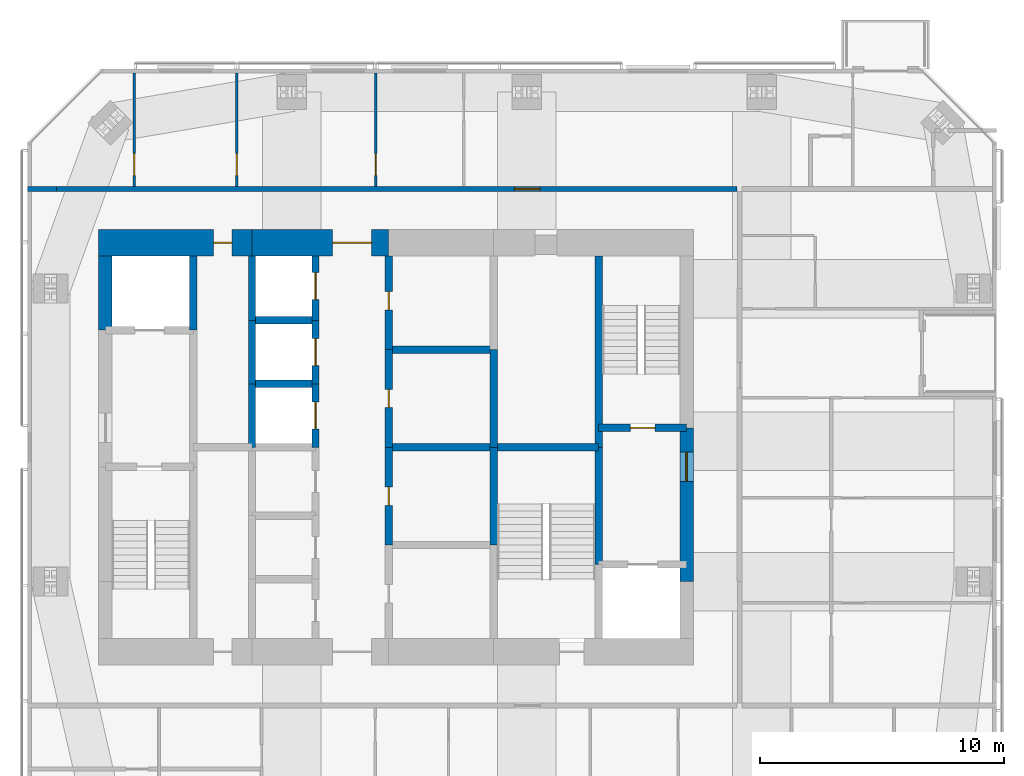
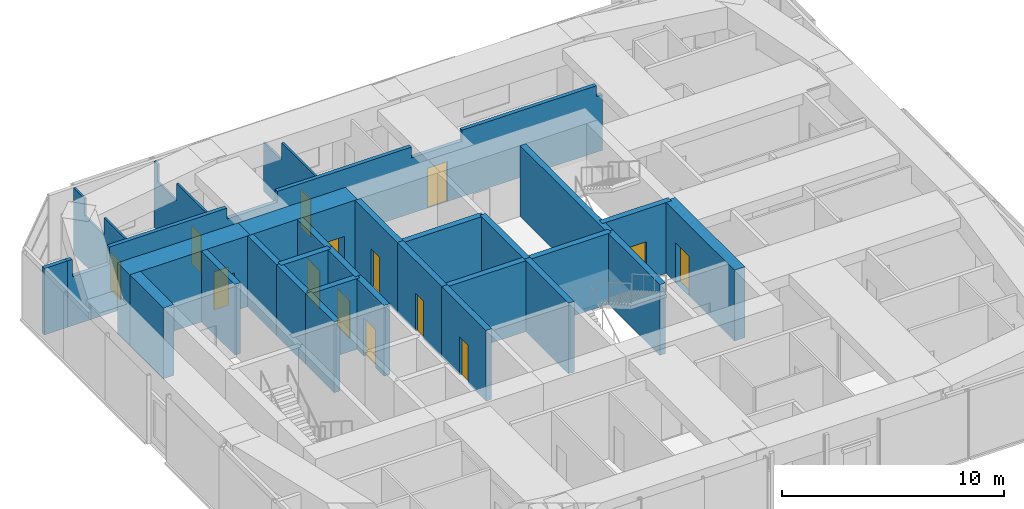
# One storey, part 16 of 20: 29 walls, 14 doors, 14 openings.
"""IFC4 building model written with IfcOpenShell, lengths in metres."""

from ifc_helpers import new_model, si_unit, direction, frame, frame_2d, origin, place, context, subcontext, project, spatial, polyline, rectangle, outline, extrude, material, layer, layer_set, constituent, constituent_set, type_object, element, fill, save


model = new_model("IFC4")

# Units and contexts
model_context = context("Model", 3, precision=1e-05, world=origin(), true_north=direction((0.0, 1.0)))
body_context = subcontext(model_context, "Body", "Model", "MODEL_VIEW")
ifc_project = project(units=[si_unit("LENGTHUNIT", "METRE"), si_unit("AREAUNIT", "SQUARE_METRE"), si_unit("VOLUMEUNIT", "CUBIC_METRE"), si_unit("PLANEANGLEUNIT", "RADIAN"), si_unit("MASSUNIT", "GRAM", prefix="KILO")], contexts=[model_context])

# Site, building, storey
site_placement = place(None, origin())
site = spatial("IfcSite", under=ifc_project, at=site_placement, CompositionType="ELEMENT")
building_placement = place(site_placement, origin())
building = spatial("IfcBuilding", under=site, at=building_placement, Name="Jalousie Tower", CompositionType="ELEMENT")
storey_placement = place(building_placement, frame((0.0, 0.0, 259.949951171875)))
storey = spatial("IfcBuildingStorey", under=building, at=storey_placement, Name="L71", CompositionType="ELEMENT", Elevation=259.949951171875)

# Wall, opening, door
ifc_material_1 = material(Name="Concrete f'c 120 MPa", Category="concrete")
ifc_layer_1 = layer(ifc_material_1, 1.10009765625)
ifc_layer_set_1 = layer_set([ifc_layer_1], Name="Concrete f'c 120 MPa")
wall_type_1 = type_object("IfcWallType", Name="CORE WALL 1100", PredefinedType="SHEAR", material=ifc_layer_set_1)
wall_1_placement = place(storey_placement, frame((31.60009765625, 26.875, 0.0), z_axis=(0.0, 0.0, 1.0), x_axis=(-1.0, 0.0, 0.0)))
wall_1 = element("IfcWall", 1, at=wall_1_placement, inside=storey, type_object=wall_type_1, Name="Core wall NC L71", PredefinedType="SHEAR", context=body_context, shape_type="SweptSolid", body=[
    extrude(rectangle(XDim=5.60009765625, YDim=1.10009765625, at=frame_2d((2.800048828125, 0.0))), origin(), (0.0, 0.0, 1.0), 3.900146484375),
])
opening_1_placement = place(wall_1_placement, frame((0.699951171875, 0.0, 0.0)))
opening_1 = element("IfcOpeningElement", 2, at=opening_1_placement, cuts=wall_1, Name="Opening D15", PredefinedType="OPENING", context=body_context, shape_type="SweptSolid", body=[
    extrude(rectangle(XDim=1.60009765625, YDim=2.10009765625, at=frame_2d((0.800048828125, 1.050048828125))), frame((0.0, 0.56005859375, 0.0), z_axis=(0.0, -1.0, 0.0), x_axis=(1.0, 0.0, 0.0)), (0.0, 0.0, 1.0), 1.1201171875),
])
ifc_material_2 = material(Name="Steel fire door", Category="steel")
door_type_1 = type_object("IfcDoorType", Name="LIFT LOBBY DOOR 1600", OperationType="DOUBLE_DOOR_SINGLE_SWING", PredefinedType="DOOR", material=ifc_material_2)
door_1_placement = place(opening_1_placement, origin())
door_1 = element("IfcDoor", 3, at=door_1_placement, inside=storey, type_object=door_type_1, Name="Lift lobby north door", OperationType="DOUBLE_DOOR_SINGLE_SWING", OverallHeight=2.10009765625, OverallWidth=1.60009765625, PredefinedType="DOOR", context=body_context, shape_type="SweptSolid", body=[
    extrude(rectangle(XDim=1.60009765625, YDim=2.10009765625, at=frame_2d((0.800048828125, 1.050048828125))), frame((0.0, 0.02490234375, 0.0), z_axis=(0.0, -1.0, 0.0), x_axis=(1.0, 0.0, 0.0)), (0.0, 0.0, 1.0), 0.050048828125),
])
fill(opening_1, door_1)

wall_2_placement = place(storey_placement, frame((26.0, 26.875, 0.0), z_axis=(0.0, 0.0, 1.0), x_axis=(-1.0, 0.0, 0.0)))
wall_2 = element("IfcWall", 4, at=wall_2_placement, inside=storey, type_object=wall_type_1, Name="Core wall ND L71", PredefinedType="SHEAR", context=body_context, shape_type="SweptSolid", body=[
    extrude(rectangle(XDim=6.27490234375, YDim=1.10009765625, at=frame_2d((3.137451171875, 0.0))), origin(), (0.0, 0.0, 1.0), 3.900146484375),
])
opening_2_placement = place(wall_2_placement, frame((0.824951171875, 0.0, 0.0)))
opening_2 = element("IfcOpeningElement", 5, at=opening_2_placement, cuts=wall_2, Name="Opening D16", PredefinedType="OPENING", context=body_context, shape_type="SweptSolid", body=[
    extrude(rectangle(XDim=0.75, YDim=2.10009765625, at=frame_2d((0.375, 1.050048828125))), frame((0.0, 0.56005859375, 0.0), z_axis=(0.0, -1.0, 0.0), x_axis=(1.0, 0.0, 0.0)), (0.0, 0.0, 1.0), 1.1201171875),
])
ifc_material_3 = material(Name="Steel fire door", Category="steel")
door_type_2 = type_object("IfcDoorType", Name="RISER DOOR 750", OperationType="SINGLE_SWING_LEFT", PredefinedType="DOOR", material=ifc_material_3)
door_2_placement = place(opening_2_placement, origin())
door_2 = element("IfcDoor", 6, at=door_2_placement, inside=storey, type_object=door_type_2, Name="North riser door", OperationType="SINGLE_SWING_RIGHT", OverallHeight=2.10009765625, OverallWidth=0.75, PredefinedType="DOOR", context=body_context, shape_type="SweptSolid", body=[
    extrude(rectangle(XDim=0.75, YDim=2.10009765625, at=frame_2d((0.375, 1.050048828125))), frame((0.0, 0.02490234375, 0.0), z_axis=(0.0, -1.0, 0.0), x_axis=(1.0, 0.0, 0.0)), (0.0, 0.0, 1.0), 0.050048828125),
])
fill(opening_2, door_2)

# Walls
ifc_material_4 = material(Name="Concrete f'c 120 MPa", Category="concrete")
ifc_layer_2 = layer(ifc_material_4, 0.300048828125)
ifc_layer_set_2 = layer_set([ifc_layer_2], Name="Concrete f'c 120 MPa")
wall_type_2 = type_object("IfcWallType", Name="CORE WALL 300", PredefinedType="SHEAR", material=ifc_layer_set_2)
wall_3_placement = place(storey_placement, frame((23.60009765625, 23.300048828125, 0.0), z_axis=(0.0, 0.0, 1.0), x_axis=(0.0, 1.0, 0.0)))
element("IfcWall", 7, at=wall_3_placement, inside=storey, type_object=wall_type_2, Name="Core wall X23.6C L71", PredefinedType="SHEAR", context=body_context, shape_type="SweptSolid", body=[
    extrude(rectangle(XDim=3.02490234375, YDim=0.300048828125, at=frame_2d((1.512451171875, 0.0))), origin(), (0.0, 0.0, 1.0), 3.900146484375),
])
wall_4_placement = place(storey_placement, frame((26.0, 18.5, 0.0), z_axis=(0.0, 0.0, 1.0), x_axis=(0.0, 1.0, 0.0)))
element("IfcWall", 8, at=wall_4_placement, inside=storey, type_object=wall_type_2, Name="Core wall X26D L71", PredefinedType="SHEAR", context=body_context, shape_type="SweptSolid", body=[
    extrude(rectangle(XDim=2.60009765625, YDim=0.300048828125, at=frame_2d((1.300048828125, 0.0))), origin(), (0.0, 0.0, 1.0), 3.900146484375),
])
wall_5_placement = place(storey_placement, frame((26.0, 21.10009765625, 0.0), z_axis=(0.0, 0.0, 1.0), x_axis=(0.0, 1.0, 0.0)))
element("IfcWall", 9, at=wall_5_placement, inside=storey, type_object=wall_type_2, Name="Core wall X26E L71", PredefinedType="SHEAR", context=body_context, shape_type="SweptSolid", body=[
    extrude(rectangle(XDim=2.599853515625, YDim=0.300048828125, at=frame_2d((1.2998046875, 0.0))), origin(), (0.0, 0.0, 1.0), 3.900146484375),
])
wall_6_placement = place(storey_placement, frame((26.0, 23.699951171875, 0.0), z_axis=(0.0, 0.0, 1.0), x_axis=(0.0, 1.0, 0.0)))
element("IfcWall", 10, at=wall_6_placement, inside=storey, type_object=wall_type_2, Name="Core wall X26F L71", PredefinedType="SHEAR", context=body_context, shape_type="SweptSolid", body=[
    extrude(rectangle(XDim=2.625, YDim=0.300048828125, at=frame_2d((1.3125, 0.0))), origin(), (0.0, 0.0, 1.0), 3.900146484375),
])

# Wall, opening, door
wall_7_placement = place(storey_placement, frame((28.60009765625, 18.5, 0.0), z_axis=(0.0, 0.0, 1.0), x_axis=(0.0, 1.0, 0.0)))
wall_7 = element("IfcWall", 11, at=wall_7_placement, inside=storey, type_object=wall_type_2, Name="Core wall X28.6D L71", PredefinedType="SHEAR", context=body_context, shape_type="SweptSolid", body=[
    extrude(rectangle(XDim=2.60009765625, YDim=0.300048828125, at=frame_2d((1.300048828125, 0.0))), origin(), (0.0, 0.0, 1.0), 3.900146484375),
])
opening_3_placement = place(wall_7_placement, frame((0.75, 0.0, 0.0)))
opening_3 = element("IfcOpeningElement", 12, at=opening_3_placement, cuts=wall_7, Name="Opening LD1", PredefinedType="OPENING", context=body_context, shape_type="SweptSolid", body=[
    extrude(rectangle(XDim=1.10009765625, YDim=2.10009765625, at=frame_2d((0.550048828125, 1.050048828125))), frame((0.0, 0.159912109375, 0.0), z_axis=(0.0, -1.0, 0.0), x_axis=(1.0, 0.0, 0.0)), (0.0, 0.0, 1.0), 0.320068359375),
])
ifc_material_5 = material(Name="Steel lift landing door", Category="steel")
door_type_3 = type_object("IfcDoorType", Name="LIFT LANDING DOOR 1100", OperationType="SLIDING_TO_LEFT", PredefinedType="DOOR", material=ifc_material_5)
door_3_placement = place(opening_3_placement, origin())
door_3 = element("IfcDoor", 13, at=door_3_placement, inside=storey, type_object=door_type_3, Name="Lift P4 landing door", OperationType="SLIDING_TO_LEFT", OverallHeight=2.10009765625, OverallWidth=1.10009765625, PredefinedType="DOOR", context=body_context, shape_type="SweptSolid", body=[
    extrude(rectangle(XDim=1.10009765625, YDim=2.10009765625, at=frame_2d((0.550048828125, 1.050048828125))), frame((0.0, 0.02490234375, 0.0), z_axis=(0.0, -1.0, 0.0), x_axis=(1.0, 0.0, 0.0)), (0.0, 0.0, 1.0), 0.050048828125),
])
fill(opening_3, door_3)

wall_8_placement = place(storey_placement, frame((28.60009765625, 21.10009765625, 0.0), z_axis=(0.0, 0.0, 1.0), x_axis=(0.0, 1.0, 0.0)))
wall_8 = element("IfcWall", 14, at=wall_8_placement, inside=storey, type_object=wall_type_2, Name="Core wall X28.6E L71", PredefinedType="SHEAR", context=body_context, shape_type="SweptSolid", body=[
    extrude(rectangle(XDim=2.599853515625, YDim=0.300048828125, at=frame_2d((1.2998046875, 0.0))), origin(), (0.0, 0.0, 1.0), 3.900146484375),
])
opening_4_placement = place(wall_8_placement, frame((0.75, 0.0, 0.0)))
opening_4 = element("IfcOpeningElement", 15, at=opening_4_placement, cuts=wall_8, Name="Opening LD1", PredefinedType="OPENING", context=body_context, shape_type="SweptSolid", body=[
    extrude(rectangle(XDim=1.10009765625, YDim=2.10009765625, at=frame_2d((0.550048828125, 1.050048828125))), frame((0.0, 0.159912109375, 0.0), z_axis=(0.0, -1.0, 0.0), x_axis=(1.0, 0.0, 0.0)), (0.0, 0.0, 1.0), 0.320068359375),
])
door_4_placement = place(opening_4_placement, origin())
door_4 = element("IfcDoor", 16, at=door_4_placement, inside=storey, type_object=door_type_3, Name="Lift P5 landing door", OperationType="SLIDING_TO_LEFT", OverallHeight=2.10009765625, OverallWidth=1.10009765625, PredefinedType="DOOR", context=body_context, shape_type="SweptSolid", body=[
    extrude(rectangle(XDim=1.10009765625, YDim=2.10009765625, at=frame_2d((0.550048828125, 1.050048828125))), frame((0.0, 0.02490234375, 0.0), z_axis=(0.0, -1.0, 0.0), x_axis=(1.0, 0.0, 0.0)), (0.0, 0.0, 1.0), 0.050048828125),
])
fill(opening_4, door_4)

wall_9_placement = place(storey_placement, frame((28.60009765625, 23.699951171875, 0.0), z_axis=(0.0, 0.0, 1.0), x_axis=(0.0, 1.0, 0.0)))
wall_9 = element("IfcWall", 17, at=wall_9_placement, inside=storey, type_object=wall_type_2, Name="Core wall X28.6F L71", PredefinedType="SHEAR", context=body_context, shape_type="SweptSolid", body=[
    extrude(rectangle(XDim=2.625, YDim=0.300048828125, at=frame_2d((1.3125, 0.0))), origin(), (0.0, 0.0, 1.0), 3.900146484375),
])
opening_5_placement = place(wall_9_placement, frame((0.85009765625, 0.0, 0.0)))
opening_5 = element("IfcOpeningElement", 18, at=opening_5_placement, cuts=wall_9, Name="Opening LD1", PredefinedType="OPENING", context=body_context, shape_type="SweptSolid", body=[
    extrude(rectangle(XDim=1.10009765625, YDim=2.10009765625, at=frame_2d((0.550048828125, 1.050048828125))), frame((0.0, 0.159912109375, 0.0), z_axis=(0.0, -1.0, 0.0), x_axis=(1.0, 0.0, 0.0)), (0.0, 0.0, 1.0), 0.320068359375),
])
door_5_placement = place(opening_5_placement, origin())
door_5 = element("IfcDoor", 19, at=door_5_placement, inside=storey, type_object=door_type_3, Name="Lift P6 landing door", OperationType="SLIDING_TO_LEFT", OverallHeight=2.10009765625, OverallWidth=1.10009765625, PredefinedType="DOOR", context=body_context, shape_type="SweptSolid", body=[
    extrude(rectangle(XDim=1.10009765625, YDim=2.10009765625, at=frame_2d((0.550048828125, 1.050048828125))), frame((0.0, 0.02490234375, 0.0), z_axis=(0.0, -1.0, 0.0), x_axis=(1.0, 0.0, 0.0)), (0.0, 0.0, 1.0), 0.050048828125),
])
fill(opening_5, door_5)

wall_10_placement = place(storey_placement, frame((31.60009765625, 14.5, 0.0), z_axis=(0.0, 0.0, 1.0), x_axis=(0.0, 1.0, 0.0)))
wall_10 = element("IfcWall", 20, at=wall_10_placement, inside=storey, type_object=wall_type_2, Name="Core wall X31.6B L71", PredefinedType="SHEAR", context=body_context, shape_type="SweptSolid", body=[
    extrude(rectangle(XDim=4.0, YDim=0.300048828125, at=frame_2d((2.0, 0.0))), origin(), (0.0, 0.0, 1.0), 3.900146484375),
])
opening_6_placement = place(wall_10_placement, frame((1.625, 0.0, 0.0)))
opening_6 = element("IfcOpeningElement", 21, at=opening_6_placement, cuts=wall_10, Name="Opening D16", PredefinedType="OPENING", context=body_context, shape_type="SweptSolid", body=[
    extrude(rectangle(XDim=0.75, YDim=2.10009765625, at=frame_2d((0.375, 1.050048828125))), frame((0.0, 0.159912109375, 0.0), z_axis=(0.0, -1.0, 0.0), x_axis=(1.0, 0.0, 0.0)), (0.0, 0.0, 1.0), 0.320068359375),
])
door_6_placement = place(opening_6_placement, frame((0.75, 0.0, 0.0), z_axis=(0.0, 0.0, 1.0), x_axis=(-1.0, 0.0, 0.0)))
door_6 = element("IfcDoor", 22, at=door_6_placement, inside=storey, type_object=door_type_2, Name="Electrical Room door", OperationType="SINGLE_SWING_RIGHT", OverallHeight=2.10009765625, OverallWidth=0.75, PredefinedType="DOOR", context=body_context, shape_type="SweptSolid", body=[
    extrude(rectangle(XDim=0.75, YDim=2.10009765625, at=frame_2d((0.375, 1.050048828125))), frame((0.0, 0.02490234375, 0.0), z_axis=(0.0, -1.0, 0.0), x_axis=(1.0, 0.0, 0.0)), (0.0, 0.0, 1.0), 0.050048828125),
])
fill(opening_6, door_6)

wall_11_placement = place(storey_placement, frame((31.60009765625, 18.5, 0.0), z_axis=(0.0, 0.0, 1.0), x_axis=(0.0, 1.0, 0.0)))
wall_11 = element("IfcWall", 23, at=wall_11_placement, inside=storey, type_object=wall_type_2, Name="Core wall X31.6C L71", PredefinedType="SHEAR", context=body_context, shape_type="SweptSolid", body=[
    extrude(rectangle(XDim=4.0, YDim=0.300048828125, at=frame_2d((2.0, 0.0))), origin(), (0.0, 0.0, 1.0), 3.900146484375),
])
opening_7_placement = place(wall_11_placement, frame((1.625, 0.0, 0.0)))
opening_7 = element("IfcOpeningElement", 24, at=opening_7_placement, cuts=wall_11, Name="Opening D16", PredefinedType="OPENING", context=body_context, shape_type="SweptSolid", body=[
    extrude(rectangle(XDim=0.75, YDim=2.10009765625, at=frame_2d((0.375, 1.050048828125))), frame((0.0, 0.159912109375, 0.0), z_axis=(0.0, -1.0, 0.0), x_axis=(1.0, 0.0, 0.0)), (0.0, 0.0, 1.0), 0.320068359375),
])
door_7_placement = place(opening_7_placement, frame((0.75, 0.0, 0.0), z_axis=(0.0, 0.0, 1.0), x_axis=(-1.0, 0.0, 0.0)))
door_7 = element("IfcDoor", 25, at=door_7_placement, inside=storey, type_object=door_type_2, Name="Telecom Room door", OperationType="SINGLE_SWING_RIGHT", OverallHeight=2.10009765625, OverallWidth=0.75, PredefinedType="DOOR", context=body_context, shape_type="SweptSolid", body=[
    extrude(rectangle(XDim=0.75, YDim=2.10009765625, at=frame_2d((0.375, 1.050048828125))), frame((0.0, 0.02490234375, 0.0), z_axis=(0.0, -1.0, 0.0), x_axis=(1.0, 0.0, 0.0)), (0.0, 0.0, 1.0), 0.050048828125),
])
fill(opening_7, door_7)

wall_12_placement = place(storey_placement, frame((31.60009765625, 22.5, 0.0), z_axis=(0.0, 0.0, 1.0), x_axis=(0.0, 1.0, 0.0)))
wall_12 = element("IfcWall", 26, at=wall_12_placement, inside=storey, type_object=wall_type_2, Name="Core wall X31.6D L71", PredefinedType="SHEAR", context=body_context, shape_type="SweptSolid", body=[
    extrude(rectangle(XDim=3.824951171875, YDim=0.300048828125, at=frame_2d((1.91259765625, 0.0))), origin(), (0.0, 0.0, 1.0), 3.900146484375),
])
opening_8_placement = place(wall_12_placement, frame((1.625, 0.0, 0.0)))
opening_8 = element("IfcOpeningElement", 27, at=opening_8_placement, cuts=wall_12, Name="Opening D16", PredefinedType="OPENING", context=body_context, shape_type="SweptSolid", body=[
    extrude(rectangle(XDim=0.75, YDim=2.10009765625, at=frame_2d((0.375, 1.050048828125))), frame((0.0, 0.159912109375, 0.0), z_axis=(0.0, -1.0, 0.0), x_axis=(1.0, 0.0, 0.0)), (0.0, 0.0, 1.0), 0.320068359375),
])
door_8_placement = place(opening_8_placement, frame((0.75, 0.0, 0.0), z_axis=(0.0, 0.0, 1.0), x_axis=(-1.0, 0.0, 0.0)))
door_8 = element("IfcDoor", 28, at=door_8_placement, inside=storey, type_object=door_type_2, Name="Water Services Room door", OperationType="SINGLE_SWING_LEFT", OverallHeight=2.10009765625, OverallWidth=0.75, PredefinedType="DOOR", context=body_context, shape_type="SweptSolid", body=[
    extrude(rectangle(XDim=0.75, YDim=2.10009765625, at=frame_2d((0.375, 1.050048828125))), frame((0.0, 0.02490234375, 0.0), z_axis=(0.0, -1.0, 0.0), x_axis=(1.0, 0.0, 0.0)), (0.0, 0.0, 1.0), 0.050048828125),
])
fill(opening_8, door_8)

# Walls
for number, where, z_axis, x_axis, name in (
    (29, (35.89990234375, 14.5, 0.0), (0.0, 0.0, 1.0), (0.0, 1.0, 0.0), "Core wall X35.9B L71"),
    (30, (35.89990234375, 18.5, 0.0), (0.0, 0.0, 1.0), (0.0, 1.0, 0.0), "Core wall X35.9C L71"),
):
    element("IfcWall", number, at=place(storey_placement, frame(where, z_axis=z_axis, x_axis=x_axis)), inside=storey, type_object=wall_type_2, Name=name, PredefinedType="SHEAR", context=body_context, shape_type="SweptSolid", body=[
        extrude(rectangle(XDim=4.0, YDim=0.300048828125, at=frame_2d((2.0, 0.0))), origin(), (0.0, 0.0, 1.0), 3.900146484375),
    ])
wall_13_placement = place(storey_placement, frame((40.199951171875, 13.699951171875, 0.0), z_axis=(0.0, 0.0, 1.0), x_axis=(0.0, 1.0, 0.0)))
element("IfcWall", 31, at=wall_13_placement, inside=storey, type_object=wall_type_2, Name="Core wall X40.2B L71", PredefinedType="SHEAR", context=body_context, shape_type="SweptSolid", body=[
    extrude(rectangle(XDim=4.800048828125, YDim=0.300048828125, at=frame_2d((2.39990234375, 0.0))), origin(), (0.0, 0.0, 1.0), 3.900146484375),
])
wall_14_placement = place(storey_placement, frame((40.199951171875, 18.5, 0.0), z_axis=(0.0, 0.0, 1.0), x_axis=(0.0, 1.0, 0.0)))
element("IfcWall", 32, at=wall_14_placement, inside=storey, type_object=wall_type_2, Name="Core wall X40.2C L71", PredefinedType="SHEAR", context=body_context, shape_type="SweptSolid", body=[
    extrude(rectangle(XDim=7.824951171875, YDim=0.300048828125, at=frame_2d((3.91259765625, 0.0))), origin(), (0.0, 0.0, 1.0), 3.900146484375),
])
for number, where, z_axis, x_axis, name in (
    (33, (26.0, 21.10009765625, 0.0), (0.0, 0.0, 1.0), (1.0, 0.0, 0.0), "Core wall Y26-21.1 L71"),
    (34, (26.0, 23.699951171875, 0.0), (0.0, 0.0, 1.0), (1.0, 0.0, 0.0), "Core wall Y26-23.7 L71"),
):
    element("IfcWall", number, at=place(storey_placement, frame(where, z_axis=z_axis, x_axis=x_axis)), inside=storey, type_object=wall_type_2, Name=name, PredefinedType="SHEAR", context=body_context, shape_type="SweptSolid", body=[
        extrude(rectangle(XDim=2.60009765625, YDim=0.300048828125, at=frame_2d((1.300048828125, 0.0))), origin(), (0.0, 0.0, 1.0), 3.900146484375),
    ])
for number, where, z_axis, x_axis, name in (
    (35, (31.60009765625, 18.5, 0.0), (0.0, 0.0, 1.0), (1.0, 0.0, 0.0), "Core wall Y31.6-18.5 L71"),
    (36, (31.60009765625, 22.5, 0.0), (0.0, 0.0, 1.0), (1.0, 0.0, 0.0), "Core wall Y31.6-22.5 L71"),
):
    element("IfcWall", number, at=place(storey_placement, frame(where, z_axis=z_axis, x_axis=x_axis)), inside=storey, type_object=wall_type_2, Name=name, PredefinedType="SHEAR", context=body_context, shape_type="SweptSolid", body=[
        extrude(rectangle(XDim=4.2998046875, YDim=0.300048828125, at=frame_2d((2.14990234375, 0.0))), origin(), (0.0, 0.0, 1.0), 3.900146484375),
    ])
wall_15_placement = place(storey_placement, frame((35.89990234375, 18.5, 0.0), z_axis=(0.0, 0.0, 1.0), x_axis=(1.0, 0.0, 0.0)))
element("IfcWall", 37, at=wall_15_placement, inside=storey, type_object=wall_type_2, Name="Core wall Y35.9-18.5 L71", PredefinedType="SHEAR", context=body_context, shape_type="SweptSolid", body=[
    extrude(rectangle(XDim=4.300048828125, YDim=0.300048828125, at=frame_2d((2.14990234375, 0.0))), origin(), (0.0, 0.0, 1.0), 3.900146484375),
])

# Wall, opening, door
wall_16_placement = place(storey_placement, frame((40.199951171875, 19.300048828125, 0.0), z_axis=(0.0, 0.0, 1.0), x_axis=(1.0, 0.0, 0.0)))
wall_16 = element("IfcWall", 38, at=wall_16_placement, inside=storey, type_object=wall_type_2, Name="Core wall Y40.2-19.3 L71", PredefinedType="SHEAR", context=body_context, shape_type="SweptSolid", body=[
    extrude(rectangle(XDim=3.60009765625, YDim=0.300048828125, at=frame_2d((1.800048828125, 0.0))), origin(), (0.0, 0.0, 1.0), 3.900146484375),
])
opening_9_placement = place(wall_16_placement, frame((1.300048828125, 0.0, 0.0)))
opening_9 = element("IfcOpeningElement", 39, at=opening_9_placement, cuts=wall_16, Name="Opening D10", PredefinedType="OPENING", context=body_context, shape_type="SweptSolid", body=[
    extrude(rectangle(XDim=1.0, YDim=2.10009765625, at=frame_2d((0.5, 1.050048828125))), frame((0.0, 0.159912109375, 0.0), z_axis=(0.0, -1.0, 0.0), x_axis=(1.0, 0.0, 0.0)), (0.0, 0.0, 1.0), 0.320068359375),
])
ifc_material_6 = material(Name="Steel fire door", Category="steel")
door_type_4 = type_object("IfcDoorType", Name="STAIR DOOR 1000", OperationType="SINGLE_SWING_LEFT", PredefinedType="DOOR", material=ifc_material_6)
door_9_placement = place(opening_9_placement, origin())
door_9 = element("IfcDoor", 40, at=door_9_placement, inside=storey, type_object=door_type_4, Name="Exit stair B door", OperationType="SINGLE_SWING_RIGHT", OverallHeight=2.10009765625, OverallWidth=1.0, PredefinedType="DOOR", context=body_context, shape_type="SweptSolid", body=[
    extrude(rectangle(XDim=1.0, YDim=2.10009765625, at=frame_2d((0.5, 1.050048828125))), frame((0.0, 0.02490234375, 0.0), z_axis=(0.0, -1.0, 0.0), x_axis=(1.0, 0.0, 0.0)), (0.0, 0.0, 1.0), 0.050048828125),
])
fill(opening_9, door_9)

# Wall
ifc_material_7 = material(Name="Concrete f'c 120 MPa", Category="concrete")
ifc_layer_3 = layer(ifc_material_7, 0.550048828125)
ifc_layer_set_3 = layer_set([ifc_layer_3], Name="Concrete f'c 120 MPa")
wall_type_3 = type_object("IfcWallType", Name="CORE WALL 550", PredefinedType="SHEAR", material=ifc_layer_set_3)
wall_17_placement = place(storey_placement, frame((20.0, 26.324951171875, 0.0), z_axis=(0.0, 0.0, 1.0), x_axis=(0.0, -1.0, 0.0)))
element("IfcWall", 41, at=wall_17_placement, inside=storey, type_object=wall_type_3, Name="Core wall WA L71", PredefinedType="SHEAR", context=body_context, shape_type="SweptSolid", body=[
    extrude(rectangle(XDim=3.02490234375, YDim=0.550048828125, at=frame_2d((1.512451171875, 0.0))), origin(), (0.0, 0.0, 1.0), 3.900146484375),
])

# Wall, opening, door
wall_18_placement = place(storey_placement, frame((43.800048828125, 13.0, 0.0), z_axis=(0.0, 0.0, 1.0), x_axis=(0.0, 1.0, 0.0)))
wall_18 = element("IfcWall", 42, at=wall_18_placement, inside=storey, type_object=wall_type_3, Name="Core wall EB L71", PredefinedType="SHEAR", context=body_context, shape_type="SweptSolid", body=[
    extrude(rectangle(XDim=6.300048828125, YDim=0.550048828125, at=frame_2d((3.14990234375, 0.0))), origin(), (0.0, 0.0, 1.0), 3.900146484375),
])
opening_10_placement = place(wall_18_placement, frame((4.10009765625, 0.0, 0.0)))
opening_10 = element("IfcOpeningElement", 43, at=opening_10_placement, cuts=wall_18, Name="Opening D11", PredefinedType="OPENING", context=body_context, shape_type="SweptSolid", body=[
    extrude(rectangle(XDim=1.199951171875, YDim=2.199951171875, at=frame_2d((0.60009765625, 1.10009765625))), frame((0.0, 0.284912109375, 0.0), z_axis=(0.0, -1.0, 0.0), x_axis=(1.0, 0.0, 0.0)), (0.0, 0.0, 1.0), 0.570068359375),
])
ifc_material_8 = material(Name="Steel fire door", Category="steel")
door_type_5 = type_object("IfcDoorType", Name="FIRE DOOR 1200", OperationType="SINGLE_SWING_LEFT", PredefinedType="DOOR", material=ifc_material_8)
door_10_placement = place(opening_10_placement, origin())
door_10 = element("IfcDoor", 44, at=door_10_placement, inside=storey, type_object=door_type_5, Name="Fire-fighting lobby B door", OperationType="SINGLE_SWING_RIGHT", OverallHeight=2.199951171875, OverallWidth=1.199951171875, PredefinedType="DOOR", context=body_context, shape_type="SweptSolid", body=[
    extrude(rectangle(XDim=1.199951171875, YDim=2.199951171875, at=frame_2d((0.60009765625, 1.10009765625))), frame((0.0, 0.02490234375, 0.0), z_axis=(0.0, -1.0, 0.0), x_axis=(1.0, 0.0, 0.0)), (0.0, 0.0, 1.0), 0.050048828125),
])
fill(opening_10, door_10)

ifc_material_9 = material(Name="Concrete block ASTM C90", Category="concrete")
ifc_constituent_1 = constituent(ifc_material_9, Name="Body")
ifc_material_10 = material(Name="Render")
ifc_constituent_2 = constituent(ifc_material_10, Name="Finish")
ifc_constituent_set_1 = constituent_set(constituents=[ifc_constituent_1, ifc_constituent_2])
wall_type_4 = type_object("IfcWallType", Name="CORRIDOR WALL 200", PredefinedType="PARTITIONING", material=ifc_constituent_set_1)
wall_19_placement = place(storey_placement, frame((18.0, 29.074951171875, 0.0), z_axis=(0.0, 0.0, 1.0), x_axis=(1.0, 0.0, 0.0)))
wall_19 = element("IfcWall", 45, at=wall_19_placement, inside=storey, type_object=wall_type_4, Name="Corridor Wall 200 L71", PredefinedType="PARTITIONING", context=body_context, shape_type="SweptSolid", body=[
    extrude(outline(polyline([(0.0, 0.0), (27.875, 0.0), (27.875, 3.66015625), (27.875, 3.06005859375), (27.56494140625, 3.06005859375), (27.56494140625, 3.66015625), (20.56005859375, 3.66015625), (20.56005859375, 3.06005859375), (17.93994140625, 3.06005859375), (17.93994140625, 3.66015625), (10.93505859375, 3.66015625), (10.93505859375, 3.06005859375), (8.31494140625, 3.06005859375), (8.31494140625, 3.66015625), (2.191650390625, 3.66015625), (2.191650390625, 2.699951171875), (0.25634765625, 2.699951171875), (0.25634765625, 3.66015625), (0.0, 3.66015625), (0.0, 0.0)])), frame((0.0, 0.10009765625, 0.0), z_axis=(0.0, -1.0, 0.0), x_axis=(1.0, 0.0, 0.0)), (0.0, 0.0, 1.0), 0.199951171875),
])
opening_11_placement = place(wall_19_placement, frame((18.75, 0.0, 0.0)))
opening_11 = element("IfcOpeningElement", 46, at=opening_11_placement, cuts=wall_19, Name="Opening D1", PredefinedType="OPENING", context=body_context, shape_type="SweptSolid", body=[
    extrude(rectangle(XDim=1.050048828125, YDim=2.199951171875, at=frame_2d((0.52490234375, 1.10009765625))), frame((0.0, 0.10986328125, 0.0), z_axis=(0.0, -1.0, 0.0), x_axis=(1.0, 0.0, 0.0)), (0.0, 0.0, 1.0), 0.219970703125),
])
ifc_material_11 = material(Name="Timber fire door", Category="wood")
door_type_6 = type_object("IfcDoorType", Name="APARTMENT ENTRANCE DOOR 1050", OperationType="SINGLE_SWING_LEFT", PredefinedType="DOOR", material=ifc_material_11)
door_11_placement = place(opening_11_placement, origin())
door_11 = element("IfcDoor", 47, at=door_11_placement, inside=storey, type_object=door_type_6, Name="Apartment 7102 entrance", OperationType="SINGLE_SWING_LEFT", OverallHeight=2.199951171875, OverallWidth=1.050048828125, PredefinedType="DOOR", context=body_context, shape_type="SweptSolid", body=[
    extrude(rectangle(XDim=1.050048828125, YDim=2.199951171875, at=frame_2d((0.52490234375, 1.10009765625))), frame((0.0, 0.02490234375, 0.0), z_axis=(0.0, -1.0, 0.0), x_axis=(1.0, 0.0, 0.0)), (0.0, 0.0, 1.0), 0.050048828125),
])
fill(opening_11, door_11)

ifc_material_12 = material(Name="Gypsum board", Category="gypsum")
ifc_constituent_3 = constituent(ifc_material_12, Name="Body")
ifc_material_13 = material(Name="Light-gauge steel studs ASTM A653 SS Grade 33", Category="steel")
ifc_constituent_4 = constituent(ifc_material_13, Name="Framing")
ifc_constituent_set_2 = constituent_set(constituents=[ifc_constituent_3, ifc_constituent_4])
wall_type_5 = type_object("IfcWallType", Name="PARTITION 100", PredefinedType="PARTITIONING", material=ifc_constituent_set_2)
wall_20_placement = place(storey_placement, frame((21.17626953125, 33.824951171875, 0.0), z_axis=(0.0, 0.0, 1.0), x_axis=(0.0, -1.0, 0.0)))
wall_20 = element("IfcWall", 48, at=wall_20_placement, inside=storey, type_object=wall_type_5, Name="Partition 100 L71", PredefinedType="PARTITIONING", context=body_context, shape_type="SweptSolid", body=[
    extrude(outline(polyline([(0.0, 0.0), (4.64990234375, 0.0), (4.64990234375, 3.66015625), (2.739990234375, 3.66015625), (2.739990234375, 2.699951171875), (0.99560546875, 2.699951171875), (0.99560546875, 3.66015625), (0.0, 3.66015625), (0.0, 0.0)])), frame((0.0, 0.050048828125, 0.0), z_axis=(0.0, -1.0, 0.0), x_axis=(1.0, 0.0, 0.0)), (0.0, 0.0, 1.0), 0.10009765625),
])
opening_12_placement = place(wall_20_placement, frame((3.300048828125, 0.0, 0.0)))
opening_12 = element("IfcOpeningElement", 49, at=opening_12_placement, cuts=wall_20, Name="Opening D2", PredefinedType="OPENING", context=body_context, shape_type="SweptSolid", body=[
    extrude(rectangle(XDim=0.89990234375, YDim=2.10009765625, at=frame_2d((0.449951171875, 1.050048828125))), frame((0.0, 0.06005859375, 0.0), z_axis=(0.0, -1.0, 0.0), x_axis=(1.0, 0.0, 0.0)), (0.0, 0.0, 1.0), 0.1201171875),
])
ifc_material_14 = material(Name="Timber door", Category="wood")
door_type_7 = type_object("IfcDoorType", Name="BEDROOM DOOR 900", OperationType="SINGLE_SWING_LEFT", PredefinedType="DOOR", material=ifc_material_14)
door_12_placement = place(opening_12_placement, frame((0.89990234375, 0.0, 0.0), z_axis=(0.0, 0.0, 1.0), x_axis=(-1.0, 0.0, 0.0)))
door_12 = element("IfcDoor", 50, at=door_12_placement, inside=storey, type_object=door_type_7, Name="Apartment 7102 bedroom 1 door", OperationType="SINGLE_SWING_LEFT", OverallHeight=2.10009765625, OverallWidth=0.89990234375, PredefinedType="DOOR", context=body_context, shape_type="SweptSolid", body=[
    extrude(rectangle(XDim=0.89990234375, YDim=2.10009765625, at=frame_2d((0.449951171875, 1.050048828125))), frame((0.0, 0.02490234375, 0.0), z_axis=(0.0, -1.0, 0.0), x_axis=(1.0, 0.0, 0.0)), (0.0, 0.0, 1.0), 0.050048828125),
])
fill(opening_12, door_12)

wall_21_placement = place(storey_placement, frame((25.375, 33.824951171875, 0.0), z_axis=(0.0, 0.0, 1.0), x_axis=(0.0, -1.0, 0.0)))
wall_21 = element("IfcWall", 51, at=wall_21_placement, inside=storey, type_object=wall_type_5, Name="Partition 100 L71", PredefinedType="PARTITIONING", context=body_context, shape_type="SweptSolid", body=[
    extrude(outline(polyline([(0.0, 0.0), (4.64990234375, 0.0), (4.64990234375, 3.66015625), (2.028564453125, 3.66015625), (2.028564453125, 2.699951171875), (0.283935546875, 2.699951171875), (0.283935546875, 3.66015625), (0.0, 3.66015625), (0.0, 0.0)])), frame((0.0, 0.050048828125, 0.0), z_axis=(0.0, -1.0, 0.0), x_axis=(1.0, 0.0, 0.0)), (0.0, 0.0, 1.0), 0.10009765625),
])
opening_13_placement = place(wall_21_placement, frame((3.300048828125, 0.0, 0.0)))
opening_13 = element("IfcOpeningElement", 52, at=opening_13_placement, cuts=wall_21, Name="Opening D2", PredefinedType="OPENING", context=body_context, shape_type="SweptSolid", body=[
    extrude(rectangle(XDim=0.89990234375, YDim=2.10009765625, at=frame_2d((0.449951171875, 1.050048828125))), frame((0.0, 0.06005859375, 0.0), z_axis=(0.0, -1.0, 0.0), x_axis=(1.0, 0.0, 0.0)), (0.0, 0.0, 1.0), 0.1201171875),
])
door_13_placement = place(opening_13_placement, origin())
door_13 = element("IfcDoor", 53, at=door_13_placement, inside=storey, type_object=door_type_7, Name="Apartment 7102 bedroom 2 door", OperationType="SINGLE_SWING_RIGHT", OverallHeight=2.10009765625, OverallWidth=0.89990234375, PredefinedType="DOOR", context=body_context, shape_type="SweptSolid", body=[
    extrude(rectangle(XDim=0.89990234375, YDim=2.10009765625, at=frame_2d((0.449951171875, 1.050048828125))), frame((0.0, 0.02490234375, 0.0), z_axis=(0.0, -1.0, 0.0), x_axis=(1.0, 0.0, 0.0)), (0.0, 0.0, 1.0), 0.050048828125),
])
fill(opening_13, door_13)

wall_22_placement = place(storey_placement, frame((31.074951171875, 33.824951171875, 0.0), z_axis=(0.0, 0.0, 1.0), x_axis=(0.0, -1.0, 0.0)))
wall_22 = element("IfcWall", 54, at=wall_22_placement, inside=storey, type_object=wall_type_5, Name="Partition 100 L71", PredefinedType="PARTITIONING", context=body_context, shape_type="SweptSolid", body=[
    extrude(outline(polyline([(0.0, 0.0), (4.64990234375, 0.0), (4.64990234375, 3.66015625), (1.635009765625, 3.66015625), (1.635009765625, 2.699951171875), (0.0, 2.699951171875), (0.0, 3.66015625), (0.0, 0.0)])), frame((0.0, 0.050048828125, 0.0), z_axis=(0.0, -1.0, 0.0), x_axis=(1.0, 0.0, 0.0)), (0.0, 0.0, 1.0), 0.10009765625),
])
opening_14_placement = place(wall_22_placement, frame((3.300048828125, 0.0, 0.0)))
opening_14 = element("IfcOpeningElement", 55, at=opening_14_placement, cuts=wall_22, Name="Opening D2", PredefinedType="OPENING", context=body_context, shape_type="SweptSolid", body=[
    extrude(rectangle(XDim=0.89990234375, YDim=2.10009765625, at=frame_2d((0.449951171875, 1.050048828125))), frame((0.0, 0.06005859375, 0.0), z_axis=(0.0, -1.0, 0.0), x_axis=(1.0, 0.0, 0.0)), (0.0, 0.0, 1.0), 0.1201171875),
])
door_14_placement = place(opening_14_placement, frame((0.89990234375, 0.0, 0.0), z_axis=(0.0, 0.0, 1.0), x_axis=(-1.0, 0.0, 0.0)))
door_14 = element("IfcDoor", 56, at=door_14_placement, inside=storey, type_object=door_type_7, Name="Apartment 7102 bedroom 3 door", OperationType="SINGLE_SWING_LEFT", OverallHeight=2.10009765625, OverallWidth=0.89990234375, PredefinedType="DOOR", context=body_context, shape_type="SweptSolid", body=[
    extrude(rectangle(XDim=0.89990234375, YDim=2.10009765625, at=frame_2d((0.449951171875, 1.050048828125))), frame((0.0, 0.02490234375, 0.0), z_axis=(0.0, -1.0, 0.0), x_axis=(1.0, 0.0, 0.0)), (0.0, 0.0, 1.0), 0.050048828125),
])
fill(opening_14, door_14)

# Wall
ifc_material_15 = material(Name="Concrete block ASTM C90", Category="concrete")
ifc_constituent_5 = constituent(ifc_material_15, Name="Body")
ifc_material_16 = material(Name="Render")
ifc_constituent_6 = constituent(ifc_material_16, Name="Finish")
ifc_constituent_set_3 = constituent_set(constituents=[ifc_constituent_5, ifc_constituent_6])
wall_type_6 = type_object("IfcWallType", Name="PARTY WALL 200", PredefinedType="PARTITIONING", material=ifc_constituent_set_3)
wall_23_placement = place(storey_placement, frame((16.800048828125, 29.074951171875, 0.0), z_axis=(0.0, 0.0, 1.0), x_axis=(1.0, 0.0, 0.0)))
element("IfcWall", 57, at=wall_23_placement, inside=storey, type_object=wall_type_6, Name="Party Wall 200 L71", PredefinedType="PARTITIONING", context=body_context, shape_type="SweptSolid", body=[
    extrude(rectangle(XDim=1.199951171875, YDim=0.199951171875, at=frame_2d((0.60009765625, 0.0))), origin(), (0.0, 0.0, 1.0), 3.66015625),
])

save(model, "model.ifc")
